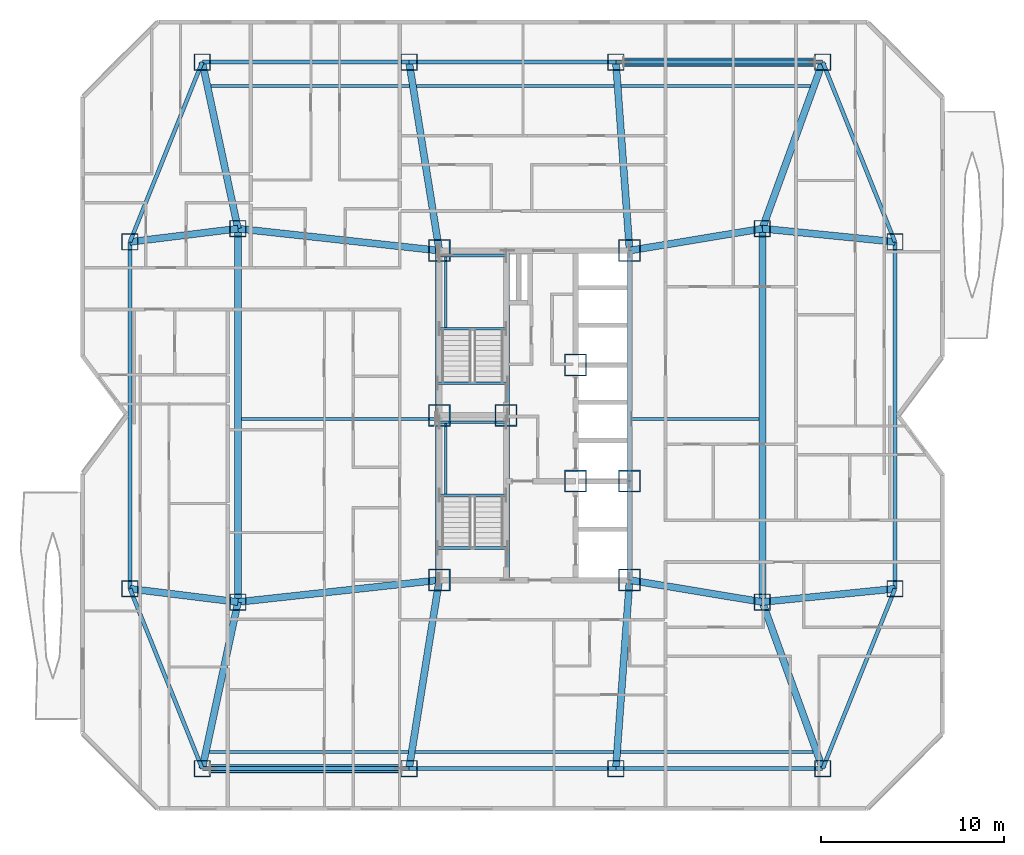
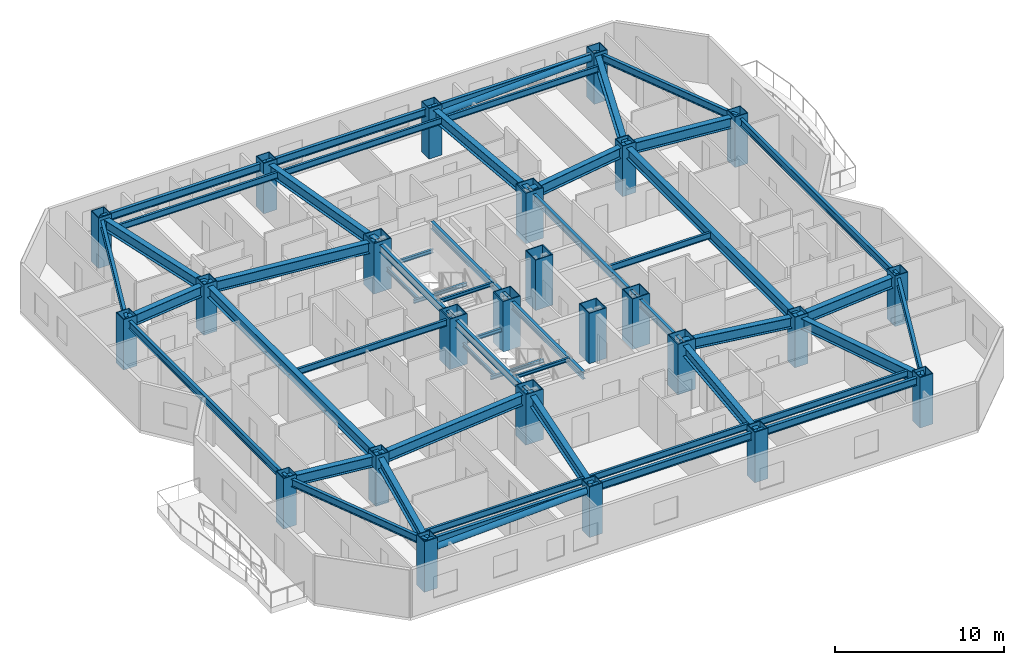
# One storey, part 1 of 16: 52 beams, 25 columns, 2 members.
"""IFC4 building model written with IfcOpenShell, lengths in metres."""

from ifc_helpers import new_model, si_unit, direction, frame, origin, origin_2d, place, context, subcontext, project, spatial, hollow_rectangle, hollow_circle, i_section, extrude, material, material_profile, profile_set, type_object, element, save


model = new_model("IFC4")

# Units and contexts
model_context = context("Model", 3, precision=1e-05, world=origin(), true_north=direction((0.0, 1.0)))
body_context = subcontext(model_context, "Body", "Model", "MODEL_VIEW")
ifc_project = project(units=[si_unit("LENGTHUNIT", "METRE"), si_unit("AREAUNIT", "SQUARE_METRE"), si_unit("VOLUMEUNIT", "CUBIC_METRE"), si_unit("PLANEANGLEUNIT", "RADIAN"), si_unit("MASSUNIT", "GRAM", prefix="KILO")], contexts=[model_context])

# Site, building, storey
site_placement = place(None, origin())
site = spatial("IfcSite", under=ifc_project, at=site_placement, CompositionType="ELEMENT")
building_placement = place(site_placement, origin())
building = spatial("IfcBuilding", under=site, at=building_placement, Name="Khamvora Tower", CompositionType="ELEMENT")
storey_placement = place(building_placement, frame((0.0, 0.0, 134.75)))
storey = spatial("IfcBuildingStorey", under=building, at=storey_placement, Name="L34", CompositionType="ELEMENT", Elevation=134.75)

# Columns
ifc_material_1 = material(Name="Steel S460", Category="steel")
ifc_material_profile_1 = material_profile(ifc_material_1, hollow_rectangle(XDim=1.199951171875, YDim=1.199951171875, WallThickness=0.06005859375, at=origin_2d()), Name="BOX1200x1200x60")
ifc_profile_set_1 = profile_set([ifc_material_profile_1], Name="Steel S460")
column_type_1 = type_object("IfcColumnType", Name="COL-BOX1200", PredefinedType="COLUMN", material=ifc_profile_set_1)
for number, where, z_axis, x_axis, name in (
    (1, (29.0, 19.0, 0.0), (0.0, 0.0, 1.0), (1.0, 0.0, 0.0), "L34 plumb core spine column SC1"),
    (2, (32.64990234375, 28.0, 0.0), (0.0, 0.0, 1.0), (1.0, 0.0, 0.0), "L34 plumb core spine column SC2"),
    (3, (39.39990234375, 19.0, 0.0), (0.0, 0.0, 1.0), (1.0, 0.0, 0.0), "L34 plumb core spine column SC3"),
    (4, (29.0, 28.0, 0.0), (0.0, 0.0, 1.0), (1.0, 0.0, 0.0), "L34 plumb core spine column SC4"),
    (5, (36.449951171875, 24.39990234375, 0.0), (0.0, 0.0, 1.0), (1.0, 0.0, 0.0), "L34 plumb core spine column SC5"),
    (6, (39.39990234375, 24.39990234375, 0.0), (0.0, 0.0, 1.0), (1.0, 0.0, 0.0), "L34 plumb core spine column SC6"),
    (7, (29.0, 37.0, 0.0), (0.0, 0.0, 1.0), (1.0, 0.0, 0.0), "L34 plumb core spine column SC7"),
    (8, (36.449951171875, 30.75, 0.0), (0.0, 0.0, 1.0), (1.0, 0.0, 0.0), "L34 plumb core spine column SC8"),
    (9, (39.39990234375, 37.0, 0.0), (0.0, 0.0, 1.0), (1.0, 0.0, 0.0), "L34 plumb core spine column SC9"),
):
    element("IfcColumn", number, at=place(storey_placement, frame(where, z_axis=z_axis, x_axis=x_axis)), inside=storey, type_object=column_type_1, Name=name, PredefinedType="COLUMN", context=body_context, shape_type="SweptSolid", body=[
        extrude(hollow_rectangle(XDim=1.199951171875, YDim=1.199951171875, WallThickness=0.06005859375, at=origin_2d()), origin(), (0.0, 0.0, 1.0), 3.64990234375),
    ])
ifc_material_2 = material(Name="Steel S355", Category="steel")
ifc_material_profile_2 = material_profile(ifc_material_2, hollow_rectangle(XDim=0.89990234375, YDim=0.89990234375, WallThickness=0.044921875, at=origin_2d()), Name="BOX900x900x45")
ifc_profile_set_2 = profile_set([ifc_material_profile_2], Name="Steel S355")
column_type_2 = type_object("IfcColumnType", Name="COL-BOX900", PredefinedType="COLUMN", material=ifc_profile_set_2)
for number, where, z_axis, x_axis, name in (
    (10, (16.050048828125, 8.699951171875, 0.0), (0.0, 0.0, 1.0), (1.0, 0.0, 0.0), "L34 structural frame column S1"),
    (11, (27.35009765625, 8.699951171875, 0.0), (0.0, 0.0, 1.0), (1.0, 0.0, 0.0), "L34 structural frame column S2"),
    (12, (38.64990234375, 8.699951171875, 0.0), (0.0, 0.0, 1.0), (1.0, 0.0, 0.0), "L34 structural frame column S3"),
    (13, (49.949951171875, 8.699951171875, 0.0), (0.0, 0.0, 1.0), (1.0, 0.0, 0.0), "L34 structural frame column S4"),
    (14, (16.050048828125, 47.300048828125, 0.0), (0.0, 0.0, 1.0), (1.0, 0.0, 0.0), "L34 structural frame column N1"),
    (15, (27.35009765625, 47.300048828125, 0.0), (0.0, 0.0, 1.0), (1.0, 0.0, 0.0), "L34 structural frame column N2"),
    (16, (38.64990234375, 47.300048828125, 0.0), (0.0, 0.0, 1.0), (1.0, 0.0, 0.0), "L34 structural frame column N3"),
    (17, (49.949951171875, 47.300048828125, 0.0), (0.0, 0.0, 1.0), (1.0, 0.0, 0.0), "L34 structural frame column N4"),
    (18, (12.10009765625, 18.52490234375, 0.0), (0.0, 0.0, 1.0), (1.0, 0.0, 0.0), "L34 structural frame column W1"),
    (19, (12.10009765625, 37.47509765625, 0.0), (0.0, 0.0, 1.0), (1.0, 0.0, 0.0), "L34 structural frame column W2"),
    (20, (53.89990234375, 18.52490234375, 0.0), (0.0, 0.0, 1.0), (1.0, 0.0, 0.0), "L34 structural frame column E1"),
    (21, (53.89990234375, 37.47509765625, 0.0), (0.0, 0.0, 1.0), (1.0, 0.0, 0.0), "L34 structural frame column E2"),
    (22, (18.0, 17.800048828125, 0.0), (0.0, 0.0, 1.0), (1.0, 0.0, 0.0), "L34 structural frame column MW1"),
    (23, (18.0, 38.199951171875, 0.0), (0.0, 0.0, 1.0), (1.0, 0.0, 0.0), "L34 structural frame column MW2"),
    (24, (46.64990234375, 17.800048828125, 0.0), (0.0, 0.0, 1.0), (1.0, 0.0, 0.0), "L34 structural frame column M1"),
    (25, (46.64990234375, 38.199951171875, 0.0), (0.0, 0.0, 1.0), (1.0, 0.0, 0.0), "L34 structural frame column M2"),
):
    element("IfcColumn", number, at=place(storey_placement, frame(where, z_axis=z_axis, x_axis=x_axis)), inside=storey, type_object=column_type_2, Name=name, PredefinedType="COLUMN", context=body_context, shape_type="SweptSolid", body=[
        extrude(hollow_rectangle(XDim=0.89990234375, YDim=0.89990234375, WallThickness=0.044921875, at=origin_2d()), origin(), (0.0, 0.0, 1.0), 3.64990234375),
    ])

# Beams
ifc_material_profile_3 = material_profile(ifc_material_2, i_section(OverallWidth=0.154052734375, OverallDepth=0.458984375, WebThickness=0.009033203125, FlangeThickness=0.014892578125, FilletRadius=0.011962890625, at=origin_2d()), Name="W460x68")
ifc_profile_set_3 = profile_set([ifc_material_profile_3], Name="Steel S355")
beam_type_1 = type_object("IfcBeamType", Name="BM-JS-W460x68", PredefinedType="JOIST", material=ifc_profile_set_3)
beam_1_placement = place(storey_placement, frame((16.43310546875, 9.60009765625, 3.200927734375), z_axis=(1.0, 0.0, 0.0), x_axis=(0.0, 1.0, 0.0)))
element("IfcBeam", 26, at=beam_1_placement, inside=storey, type_object=beam_type_1, Name="L34 secondary floor joist 01", PredefinedType="JOIST", context=body_context, shape_type="SweptSolid", body=[
    extrude(i_section(OverallWidth=0.154052734375, OverallDepth=0.458984375, WebThickness=0.009033203125, FlangeThickness=0.014892578125, FilletRadius=0.011962890625, at=origin_2d()), origin(), (0.0, 0.0, 1.0), 10.872802734375),
])
beam_2_placement = place(storey_placement, frame((27.681884765625, 9.60009765625, 3.200927734375), z_axis=(1.0, 0.0, 0.0), x_axis=(0.0, 1.0, 0.0)))
element("IfcBeam", 27, at=beam_2_placement, inside=storey, type_object=beam_type_1, Name="L34 secondary floor joist 02", PredefinedType="JOIST", context=body_context, shape_type="SweptSolid", body=[
    extrude(i_section(OverallWidth=0.154052734375, OverallDepth=0.458984375, WebThickness=0.009033203125, FlangeThickness=0.014892578125, FilletRadius=0.011962890625, at=origin_2d()), origin(), (0.0, 0.0, 1.0), 10.84814453125),
])
beam_3_placement = place(storey_placement, frame((38.902099609375, 9.60009765625, 3.200927734375), z_axis=(1.0, 0.0, 0.0), x_axis=(0.0, 1.0, 0.0)))
element("IfcBeam", 28, at=beam_3_placement, inside=storey, type_object=beam_type_1, Name="L34 secondary floor joist 03", PredefinedType="JOIST", context=body_context, shape_type="SweptSolid", body=[
    extrude(i_section(OverallWidth=0.154052734375, OverallDepth=0.458984375, WebThickness=0.009033203125, FlangeThickness=0.014892578125, FilletRadius=0.011962890625, at=origin_2d()), origin(), (0.0, 0.0, 1.0), 10.52392578125),
])
beam_4_placement = place(storey_placement, frame((18.18603515625, 27.800048828125, 3.200927734375), z_axis=(1.0, 0.0, 0.0), x_axis=(0.0, 1.0, 0.0)))
element("IfcBeam", 29, at=beam_4_placement, inside=storey, type_object=beam_type_1, Name="L34 secondary floor joist 04", PredefinedType="JOIST", context=body_context, shape_type="SweptSolid", body=[
    extrude(i_section(OverallWidth=0.154052734375, OverallDepth=0.458984375, WebThickness=0.009033203125, FlangeThickness=0.014892578125, FilletRadius=0.011962890625, at=origin_2d()), origin(), (0.0, 0.0, 1.0), 10.614013671875),
])
beam_5_placement = place(storey_placement, frame((39.4990234375, 27.800048828125, 3.200927734375), z_axis=(1.0, 0.0, 0.0), x_axis=(0.0, 1.0, 0.0)))
element("IfcBeam", 30, at=beam_5_placement, inside=storey, type_object=beam_type_1, Name="L34 secondary floor joist 05", PredefinedType="JOIST", context=body_context, shape_type="SweptSolid", body=[
    extrude(i_section(OverallWidth=0.154052734375, OverallDepth=0.458984375, WebThickness=0.009033203125, FlangeThickness=0.014892578125, FilletRadius=0.011962890625, at=origin_2d()), origin(), (0.0, 0.0, 1.0), 6.966064453125),
])
beam_6_placement = place(storey_placement, frame((16.51806640625, 46.0, 3.200927734375), z_axis=(1.0, 0.0, 0.0), x_axis=(0.0, 1.0, 0.0)))
element("IfcBeam", 31, at=beam_6_placement, inside=storey, type_object=beam_type_1, Name="L34 secondary floor joist 06", PredefinedType="JOIST", context=body_context, shape_type="SweptSolid", body=[
    extrude(i_section(OverallWidth=0.154052734375, OverallDepth=0.458984375, WebThickness=0.009033203125, FlangeThickness=0.014892578125, FilletRadius=0.011962890625, at=origin_2d()), origin(), (0.0, 0.0, 1.0), 10.85205078125),
])
beam_7_placement = place(storey_placement, frame((27.74609375, 46.0, 3.200927734375), z_axis=(1.0, 0.0, 0.0), x_axis=(0.0, 1.0, 0.0)))
element("IfcBeam", 32, at=beam_7_placement, inside=storey, type_object=beam_type_1, Name="L34 secondary floor joist 07", PredefinedType="JOIST", context=body_context, shape_type="SweptSolid", body=[
    extrude(i_section(OverallWidth=0.154052734375, OverallDepth=0.458984375, WebThickness=0.009033203125, FlangeThickness=0.014892578125, FilletRadius=0.011962890625, at=origin_2d()), origin(), (0.0, 0.0, 1.0), 10.81298828125),
])
beam_8_placement = place(storey_placement, frame((38.930908203125, 46.0, 3.200927734375), z_axis=(1.0, 0.0, 0.0), x_axis=(0.0, 1.0, 0.0)))
element("IfcBeam", 33, at=beam_8_placement, inside=storey, type_object=beam_type_1, Name="L34 secondary floor joist 08", PredefinedType="JOIST", context=body_context, shape_type="SweptSolid", body=[
    extrude(i_section(OverallWidth=0.154052734375, OverallDepth=0.458984375, WebThickness=0.009033203125, FlangeThickness=0.014892578125, FilletRadius=0.011962890625, at=origin_2d()), origin(), (0.0, 0.0, 1.0), 10.35009765625),
])
ifc_material_profile_4 = material_profile(ifc_material_2, i_section(OverallWidth=0.14697265625, OverallDepth=0.261962890625, WebThickness=0.007080078125, FlangeThickness=0.010986328125, FilletRadius=0.008056640625, at=origin_2d()), Name="W250x39")
ifc_profile_set_4 = profile_set([ifc_material_profile_4], Name="Steel S355")
beam_type_2 = type_object("IfcBeamType", Name="BM-LN-W250x39", PredefinedType="LINTEL", material=ifc_profile_set_4)
for number, where, z_axis, x_axis, name in (
    (34, (29.0, 23.635009765625, 1.493896484375), (1.0, 0.0, 0.0), (0.0, 1.0, 0.0), "L34 ST-01 half-landing support beam 1.1"),
    (35, (29.0, 27.6298828125, 1.493896484375), (1.0, 0.0, 0.0), (0.0, 1.0, 0.0), "L34 ST-01 half-landing support beam 1.2"),
):
    element("IfcBeam", number, at=place(storey_placement, frame(where, z_axis=z_axis, x_axis=x_axis)), inside=storey, type_object=beam_type_2, Name=name, PredefinedType="LINTEL", context=body_context, shape_type="SweptSolid", body=[
        extrude(i_section(OverallWidth=0.14697265625, OverallDepth=0.261962890625, WebThickness=0.007080078125, FlangeThickness=0.010986328125, FilletRadius=0.008056640625, at=origin_2d()), origin(), (0.0, 0.0, 1.0), 3.64990234375),
    ])
beam_9_placement = place(storey_placement, frame((29.35009765625, 23.635009765625, 1.493896484375), z_axis=(0.0, 1.0, 0.0), x_axis=(-1.0, 0.0, 0.0)))
element("IfcBeam", 36, at=beam_9_placement, inside=storey, type_object=beam_type_2, Name="L34 ST-01 half-landing edge stringer 1", PredefinedType="LINTEL", context=body_context, shape_type="SweptSolid", body=[
    extrude(i_section(OverallWidth=0.14697265625, OverallDepth=0.261962890625, WebThickness=0.007080078125, FlangeThickness=0.010986328125, FilletRadius=0.008056640625, at=origin_2d()), origin(), (0.0, 0.0, 1.0), 3.994873046875),
])
for number, where, z_axis, x_axis, name in (
    (37, (29.0, 32.735107421875, 1.493896484375), (1.0, 0.0, 0.0), (0.0, 1.0, 0.0), "L34 ST-02 half-landing support beam 1.1"),
    (38, (29.0, 36.72998046875, 1.493896484375), (1.0, 0.0, 0.0), (0.0, 1.0, 0.0), "L34 ST-02 half-landing support beam 1.2"),
):
    element("IfcBeam", number, at=place(storey_placement, frame(where, z_axis=z_axis, x_axis=x_axis)), inside=storey, type_object=beam_type_2, Name=name, PredefinedType="LINTEL", context=body_context, shape_type="SweptSolid", body=[
        extrude(i_section(OverallWidth=0.14697265625, OverallDepth=0.261962890625, WebThickness=0.007080078125, FlangeThickness=0.010986328125, FilletRadius=0.008056640625, at=origin_2d()), origin(), (0.0, 0.0, 1.0), 3.64990234375),
    ])
beam_10_placement = place(storey_placement, frame((29.35009765625, 32.735107421875, 1.493896484375), z_axis=(0.0, 1.0, 0.0), x_axis=(-1.0, 0.0, 0.0)))
element("IfcBeam", 39, at=beam_10_placement, inside=storey, type_object=beam_type_2, Name="L34 ST-02 half-landing edge stringer 1", PredefinedType="LINTEL", context=body_context, shape_type="SweptSolid", body=[
    extrude(i_section(OverallWidth=0.14697265625, OverallDepth=0.261962890625, WebThickness=0.007080078125, FlangeThickness=0.010986328125, FilletRadius=0.008056640625, at=origin_2d()), origin(), (0.0, 0.0, 1.0), 3.994873046875),
])
for number, where, z_axis, x_axis, name in (
    (40, (28.89990234375, 20.75, 3.303955078125), (1.0, 0.0, 0.0), (0.0, 1.0, 0.0), "L34 exit stair ST-01 landing trimmer beam"),
    (41, (28.89990234375, 29.75, 3.303955078125), (1.0, 0.0, 0.0), (0.0, 1.0, 0.0), "L34 exit stair ST-02 landing trimmer beam"),
):
    element("IfcBeam", number, at=place(storey_placement, frame(where, z_axis=z_axis, x_axis=x_axis)), inside=storey, type_object=beam_type_2, Name=name, PredefinedType="LINTEL", context=body_context, shape_type="SweptSolid", body=[
        extrude(i_section(OverallWidth=0.14697265625, OverallDepth=0.261962890625, WebThickness=0.007080078125, FlangeThickness=0.010986328125, FilletRadius=0.008056640625, at=origin_2d()), origin(), (0.0, 0.0, 1.0), 3.830078125),
    ])
ifc_material_profile_5 = material_profile(ifc_material_2, i_section(OverallWidth=0.381103515625, OverallDepth=0.77294921875, WebThickness=0.01708984375, FlangeThickness=0.027099609375, FilletRadius=0.01806640625, at=origin_2d()), Name="W760x257")
ifc_profile_set_5 = profile_set([ifc_material_profile_5], Name="Steel S355")
beam_type_3 = type_object("IfcBeamType", Name="BM-PG-W760x257", PredefinedType="BEAM", material=ifc_profile_set_5)
for number, where, z_axis, x_axis, name in (
    (42, (46.64990234375, 17.800048828125, 3.04296875), (0.0, 1.0, 0.0), (-1.0, 0.0, 0.0), "L34 longitudinal frame girder M1-M2"),
    (43, (18.0, 17.800048828125, 3.04296875), (0.0, 1.0, 0.0), (-1.0, 0.0, 0.0), "L34 longitudinal frame girder MW1-MW2"),
):
    element("IfcBeam", number, at=place(storey_placement, frame(where, z_axis=z_axis, x_axis=x_axis)), inside=storey, type_object=beam_type_3, Name=name, PredefinedType="BEAM", context=body_context, shape_type="SweptSolid", body=[
        extrude(i_section(OverallWidth=0.381103515625, OverallDepth=0.77294921875, WebThickness=0.01708984375, FlangeThickness=0.027099609375, FilletRadius=0.01806640625, at=origin_2d()), origin(), (0.0, 0.0, 1.0), 20.39990234375),
    ])
beam_11_placement = place(storey_placement, frame((18.0, 17.800048828125, 3.04296875), z_axis=(-0.209521922673, -0.977803949634, 0.0), x_axis=(0.977803949634, -0.209521922673, 0.0)))
element("IfcBeam", 44, at=beam_11_placement, inside=storey, type_object=beam_type_3, Name="L34 primary floor girder S1", PredefinedType="BEAM", context=body_context, shape_type="SweptSolid", body=[
    extrude(i_section(OverallWidth=0.381103515625, OverallDepth=0.77294921875, WebThickness=0.01708984375, FlangeThickness=0.027099609375, FilletRadius=0.01806640625, at=origin_2d()), origin(), (0.0, 0.0, 1.0), 9.306640625),
])
beam_12_placement = place(storey_placement, frame((29.0, 19.0, 3.04296875), z_axis=(-0.158167584066, -0.987412282358, 0.0), x_axis=(0.987412282358, -0.158167584066, 0.0)))
element("IfcBeam", 45, at=beam_12_placement, inside=storey, type_object=beam_type_3, Name="L34 primary floor girder S2", PredefinedType="BEAM", context=body_context, shape_type="SweptSolid", body=[
    extrude(i_section(OverallWidth=0.381103515625, OverallDepth=0.77294921875, WebThickness=0.01708984375, FlangeThickness=0.027099609375, FilletRadius=0.01806640625, at=origin_2d()), origin(), (0.0, 0.0, 1.0), 10.431396484375),
])
beam_13_placement = place(storey_placement, frame((39.39990234375, 19.0, 3.04296875), z_axis=(-0.07262291808, -0.997359469685, 0.0), x_axis=(0.997359469685, -0.07262291808, 0.0)))
element("IfcBeam", 46, at=beam_13_placement, inside=storey, type_object=beam_type_3, Name="L34 primary floor girder S3", PredefinedType="BEAM", context=body_context, shape_type="SweptSolid", body=[
    extrude(i_section(OverallWidth=0.381103515625, OverallDepth=0.77294921875, WebThickness=0.01708984375, FlangeThickness=0.027099609375, FilletRadius=0.01806640625, at=origin_2d()), origin(), (0.0, 0.0, 1.0), 10.327392578125),
])
beam_14_placement = place(storey_placement, frame((46.64990234375, 17.800048828125, 3.04296875), z_axis=(0.340914681567, -0.940094239899, 0.0), x_axis=(0.940094239899, 0.340914681567, 0.0)))
element("IfcBeam", 47, at=beam_14_placement, inside=storey, type_object=beam_type_3, Name="L34 primary floor girder S4", PredefinedType="BEAM", context=body_context, shape_type="SweptSolid", body=[
    extrude(i_section(OverallWidth=0.381103515625, OverallDepth=0.77294921875, WebThickness=0.01708984375, FlangeThickness=0.027099609375, FilletRadius=0.01806640625, at=origin_2d()), origin(), (0.0, 0.0, 1.0), 9.679931640625),
])
beam_15_placement = place(storey_placement, frame((18.0, 38.199951171875, 3.04296875), z_axis=(-0.209521922673, 0.977803949634, 0.0), x_axis=(-0.977803949634, -0.209521922673, 0.0)))
element("IfcBeam", 48, at=beam_15_placement, inside=storey, type_object=beam_type_3, Name="L34 primary floor girder N1", PredefinedType="BEAM", context=body_context, shape_type="SweptSolid", body=[
    extrude(i_section(OverallWidth=0.381103515625, OverallDepth=0.77294921875, WebThickness=0.01708984375, FlangeThickness=0.027099609375, FilletRadius=0.01806640625, at=origin_2d()), origin(), (0.0, 0.0, 1.0), 9.306640625),
])
beam_16_placement = place(storey_placement, frame((29.0, 37.0, 3.04296875), z_axis=(-0.158167584066, 0.987412282358, 0.0), x_axis=(-0.987412282358, -0.158167584066, 0.0)))
element("IfcBeam", 49, at=beam_16_placement, inside=storey, type_object=beam_type_3, Name="L34 primary floor girder N2", PredefinedType="BEAM", context=body_context, shape_type="SweptSolid", body=[
    extrude(i_section(OverallWidth=0.381103515625, OverallDepth=0.77294921875, WebThickness=0.01708984375, FlangeThickness=0.027099609375, FilletRadius=0.01806640625, at=origin_2d()), origin(), (0.0, 0.0, 1.0), 10.431396484375),
])
beam_17_placement = place(storey_placement, frame((39.39990234375, 37.0, 3.04296875), z_axis=(-0.07262291808, 0.997359469685, 0.0), x_axis=(-0.997359469685, -0.07262291808, 0.0)))
element("IfcBeam", 50, at=beam_17_placement, inside=storey, type_object=beam_type_3, Name="L34 primary floor girder N3", PredefinedType="BEAM", context=body_context, shape_type="SweptSolid", body=[
    extrude(i_section(OverallWidth=0.381103515625, OverallDepth=0.77294921875, WebThickness=0.01708984375, FlangeThickness=0.027099609375, FilletRadius=0.01806640625, at=origin_2d()), origin(), (0.0, 0.0, 1.0), 10.327392578125),
])
beam_18_placement = place(storey_placement, frame((46.64990234375, 38.199951171875, 3.04296875), z_axis=(0.340914681567, 0.940094239899, 0.0), x_axis=(-0.940094239899, 0.340914681567, 0.0)))
element("IfcBeam", 51, at=beam_18_placement, inside=storey, type_object=beam_type_3, Name="L34 primary floor girder N4", PredefinedType="BEAM", context=body_context, shape_type="SweptSolid", body=[
    extrude(i_section(OverallWidth=0.381103515625, OverallDepth=0.77294921875, WebThickness=0.01708984375, FlangeThickness=0.027099609375, FilletRadius=0.01806640625, at=origin_2d()), origin(), (0.0, 0.0, 1.0), 9.679931640625),
])
for number, where, z_axis, x_axis, name in (
    (52, (18.0, 17.800048828125, 3.04296875), (-0.992537264608, 0.12194170068, 0.0), (-0.12194170068, -0.992537264608, 0.0), "L34 primary floor girder W1"),
    (53, (18.0, 38.199951171875, 3.04296875), (-0.992537264608, -0.12194170068, 0.0), (0.12194170068, -0.992537264608, 0.0), "L34 primary floor girder W2"),
):
    element("IfcBeam", number, at=place(storey_placement, frame(where, z_axis=z_axis, x_axis=x_axis)), inside=storey, type_object=beam_type_3, Name=name, PredefinedType="BEAM", context=body_context, shape_type="SweptSolid", body=[
        extrude(i_section(OverallWidth=0.381103515625, OverallDepth=0.77294921875, WebThickness=0.01708984375, FlangeThickness=0.027099609375, FilletRadius=0.01806640625, at=origin_2d()), origin(), (0.0, 0.0, 1.0), 5.9443359375),
    ])
for number, where, z_axis, x_axis, name in (
    (54, (46.64990234375, 17.800048828125, 3.04296875), (0.995039180556, 0.099483813546, 0.0), (-0.099483813546, 0.995039180556, 0.0), "L34 primary floor girder E1"),
    (55, (46.64990234375, 38.199951171875, 3.04296875), (0.995039180556, -0.099483813546, 0.0), (0.099483813546, 0.995039180556, 0.0), "L34 primary floor girder E2"),
):
    element("IfcBeam", number, at=place(storey_placement, frame(where, z_axis=z_axis, x_axis=x_axis)), inside=storey, type_object=beam_type_3, Name=name, PredefinedType="BEAM", context=body_context, shape_type="SweptSolid", body=[
        extrude(i_section(OverallWidth=0.381103515625, OverallDepth=0.77294921875, WebThickness=0.01708984375, FlangeThickness=0.027099609375, FilletRadius=0.01806640625, at=origin_2d()), origin(), (0.0, 0.0, 1.0), 7.2861328125),
    ])
for number, where, z_axis, x_axis, name in (
    (56, (29.0, 19.0, 3.04296875), (-0.994102652327, -0.108443149329, 0.0), (0.108443149329, -0.994102652327, 0.0), "L34 primary floor girder MW1"),
    (57, (29.0, 37.0, 3.04296875), (-0.994102652327, 0.108443149329, 0.0), (-0.108443149329, -0.994102652327, 0.0), "L34 primary floor girder MW2"),
):
    element("IfcBeam", number, at=place(storey_placement, frame(where, z_axis=z_axis, x_axis=x_axis)), inside=storey, type_object=beam_type_3, Name=name, PredefinedType="BEAM", context=body_context, shape_type="SweptSolid", body=[
        extrude(i_section(OverallWidth=0.381103515625, OverallDepth=0.77294921875, WebThickness=0.01708984375, FlangeThickness=0.027099609375, FilletRadius=0.01806640625, at=origin_2d()), origin(), (0.0, 0.0, 1.0), 11.065185546875),
    ])
for number, where, z_axis, x_axis, name in (
    (58, (39.39990234375, 19.0, 3.04296875), (0.986578268552, -0.163289068896, 0.0), (0.163289068896, 0.986578268552, 0.0), "L34 primary floor girder M1"),
    (59, (39.39990234375, 37.0, 3.04296875), (0.986578268552, 0.163289068896, 0.0), (-0.163289068896, 0.986578268552, 0.0), "L34 primary floor girder M2"),
):
    element("IfcBeam", number, at=place(storey_placement, frame(where, z_axis=z_axis, x_axis=x_axis)), inside=storey, type_object=beam_type_3, Name=name, PredefinedType="BEAM", context=body_context, shape_type="SweptSolid", body=[
        extrude(i_section(OverallWidth=0.381103515625, OverallDepth=0.77294921875, WebThickness=0.01708984375, FlangeThickness=0.027099609375, FilletRadius=0.01806640625, at=origin_2d()), origin(), (0.0, 0.0, 1.0), 7.3486328125),
    ])
ifc_material_profile_6 = material_profile(ifc_material_2, i_section(OverallWidth=0.2119140625, OverallDepth=0.5439453125, WebThickness=0.012939453125, FlangeThickness=0.02099609375, FilletRadius=0.013916015625, at=origin_2d()), Name="W530x123")
ifc_profile_set_6 = profile_set([ifc_material_profile_6], Name="Steel S355")
beam_type_4 = type_object("IfcBeamType", Name="BM-SP-W530x123", PredefinedType="SPANDREL", material=ifc_profile_set_6)
beam_19_placement = place(storey_placement, frame((12.10009765625, 18.52490234375, 3.157958984375), z_axis=(0.373015921536, -0.927824941614, 0.0), x_axis=(0.927824941614, 0.373015921536, 0.0)))
element("IfcBeam", 60, at=beam_19_placement, inside=storey, type_object=beam_type_4, Name="L34 perimeter spandrel beam W1-S1", PredefinedType="SPANDREL", context=body_context, shape_type="SweptSolid", body=[
    extrude(i_section(OverallWidth=0.2119140625, OverallDepth=0.5439453125, WebThickness=0.012939453125, FlangeThickness=0.02099609375, FilletRadius=0.013916015625, at=origin_2d()), origin(), (0.0, 0.0, 1.0), 10.589111328125),
])
beam_20_placement = place(storey_placement, frame((16.050048828125, 8.699951171875, 3.157958984375), z_axis=(1.0, 0.0, 0.0), x_axis=(0.0, 1.0, 0.0)))
element("IfcBeam", 61, at=beam_20_placement, inside=storey, type_object=beam_type_4, Name="L34 perimeter spandrel beam S1-S2", PredefinedType="SPANDREL", context=body_context, shape_type="SweptSolid", body=[
    extrude(i_section(OverallWidth=0.2119140625, OverallDepth=0.5439453125, WebThickness=0.012939453125, FlangeThickness=0.02099609375, FilletRadius=0.013916015625, at=origin_2d()), origin(), (0.0, 0.0, 1.0), 11.300048828125),
])
beam_21_placement = place(storey_placement, frame((27.35009765625, 8.699951171875, 3.157958984375), z_axis=(1.0, 0.0, 0.0), x_axis=(0.0, 1.0, 0.0)))
element("IfcBeam", 62, at=beam_21_placement, inside=storey, type_object=beam_type_4, Name="L34 perimeter spandrel beam S2-S3", PredefinedType="SPANDREL", context=body_context, shape_type="SweptSolid", body=[
    extrude(i_section(OverallWidth=0.2119140625, OverallDepth=0.5439453125, WebThickness=0.012939453125, FlangeThickness=0.02099609375, FilletRadius=0.013916015625, at=origin_2d()), origin(), (0.0, 0.0, 1.0), 11.2998046875),
])
beam_22_placement = place(storey_placement, frame((38.64990234375, 8.699951171875, 3.157958984375), z_axis=(1.0, 0.0, 0.0), x_axis=(0.0, 1.0, 0.0)))
element("IfcBeam", 63, at=beam_22_placement, inside=storey, type_object=beam_type_4, Name="L34 perimeter spandrel beam S3-S4", PredefinedType="SPANDREL", context=body_context, shape_type="SweptSolid", body=[
    extrude(i_section(OverallWidth=0.2119140625, OverallDepth=0.5439453125, WebThickness=0.012939453125, FlangeThickness=0.02099609375, FilletRadius=0.013916015625, at=origin_2d()), origin(), (0.0, 0.0, 1.0), 11.300048828125),
])
beam_23_placement = place(storey_placement, frame((49.949951171875, 8.699951171875, 3.157958984375), z_axis=(0.373015921536, 0.927824941614, 0.0), x_axis=(-0.927824941614, 0.373015921536, 0.0)))
element("IfcBeam", 64, at=beam_23_placement, inside=storey, type_object=beam_type_4, Name="L34 perimeter spandrel beam S4-E1", PredefinedType="SPANDREL", context=body_context, shape_type="SweptSolid", body=[
    extrude(i_section(OverallWidth=0.2119140625, OverallDepth=0.5439453125, WebThickness=0.012939453125, FlangeThickness=0.02099609375, FilletRadius=0.013916015625, at=origin_2d()), origin(), (0.0, 0.0, 1.0), 10.589111328125),
])
beam_24_placement = place(storey_placement, frame((53.89990234375, 18.52490234375, 3.157958984375), z_axis=(0.0, 1.0, 0.0), x_axis=(-1.0, 0.0, 0.0)))
element("IfcBeam", 65, at=beam_24_placement, inside=storey, type_object=beam_type_4, Name="L34 perimeter spandrel beam E1-E2", PredefinedType="SPANDREL", context=body_context, shape_type="SweptSolid", body=[
    extrude(i_section(OverallWidth=0.2119140625, OverallDepth=0.5439453125, WebThickness=0.012939453125, FlangeThickness=0.02099609375, FilletRadius=0.013916015625, at=origin_2d()), origin(), (0.0, 0.0, 1.0), 18.9501953125),
])
beam_25_placement = place(storey_placement, frame((53.89990234375, 37.47509765625, 3.157958984375), z_axis=(-0.373015921536, 0.927824941614, 0.0), x_axis=(-0.927824941614, -0.373015921536, 0.0)))
element("IfcBeam", 66, at=beam_25_placement, inside=storey, type_object=beam_type_4, Name="L34 perimeter spandrel beam E2-N4", PredefinedType="SPANDREL", context=body_context, shape_type="SweptSolid", body=[
    extrude(i_section(OverallWidth=0.2119140625, OverallDepth=0.5439453125, WebThickness=0.012939453125, FlangeThickness=0.02099609375, FilletRadius=0.013916015625, at=origin_2d()), origin(), (0.0, 0.0, 1.0), 10.589111328125),
])
beam_26_placement = place(storey_placement, frame((49.949951171875, 47.300048828125, 3.157958984375), z_axis=(-1.0, 0.0, 0.0), x_axis=(0.0, -1.0, 0.0)))
element("IfcBeam", 67, at=beam_26_placement, inside=storey, type_object=beam_type_4, Name="L34 perimeter spandrel beam N4-N3", PredefinedType="SPANDREL", context=body_context, shape_type="SweptSolid", body=[
    extrude(i_section(OverallWidth=0.2119140625, OverallDepth=0.5439453125, WebThickness=0.012939453125, FlangeThickness=0.02099609375, FilletRadius=0.013916015625, at=origin_2d()), origin(), (0.0, 0.0, 1.0), 11.300048828125),
])
beam_27_placement = place(storey_placement, frame((38.64990234375, 47.300048828125, 3.157958984375), z_axis=(-1.0, 0.0, 0.0), x_axis=(0.0, -1.0, 0.0)))
element("IfcBeam", 68, at=beam_27_placement, inside=storey, type_object=beam_type_4, Name="L34 perimeter spandrel beam N3-N2", PredefinedType="SPANDREL", context=body_context, shape_type="SweptSolid", body=[
    extrude(i_section(OverallWidth=0.2119140625, OverallDepth=0.5439453125, WebThickness=0.012939453125, FlangeThickness=0.02099609375, FilletRadius=0.013916015625, at=origin_2d()), origin(), (0.0, 0.0, 1.0), 11.2998046875),
])
beam_28_placement = place(storey_placement, frame((27.35009765625, 47.300048828125, 3.157958984375), z_axis=(-1.0, 0.0, 0.0), x_axis=(0.0, -1.0, 0.0)))
element("IfcBeam", 69, at=beam_28_placement, inside=storey, type_object=beam_type_4, Name="L34 perimeter spandrel beam N2-N1", PredefinedType="SPANDREL", context=body_context, shape_type="SweptSolid", body=[
    extrude(i_section(OverallWidth=0.2119140625, OverallDepth=0.5439453125, WebThickness=0.012939453125, FlangeThickness=0.02099609375, FilletRadius=0.013916015625, at=origin_2d()), origin(), (0.0, 0.0, 1.0), 11.300048828125),
])
beam_29_placement = place(storey_placement, frame((16.050048828125, 47.300048828125, 3.157958984375), z_axis=(-0.373015921536, -0.927824941614, 0.0), x_axis=(0.927824941614, -0.373015921536, 0.0)))
element("IfcBeam", 70, at=beam_29_placement, inside=storey, type_object=beam_type_4, Name="L34 perimeter spandrel beam N1-W2", PredefinedType="SPANDREL", context=body_context, shape_type="SweptSolid", body=[
    extrude(i_section(OverallWidth=0.2119140625, OverallDepth=0.5439453125, WebThickness=0.012939453125, FlangeThickness=0.02099609375, FilletRadius=0.013916015625, at=origin_2d()), origin(), (0.0, 0.0, 1.0), 10.589111328125),
])
beam_30_placement = place(storey_placement, frame((12.10009765625, 37.47509765625, 3.157958984375), z_axis=(0.0, -1.0, 0.0), x_axis=(1.0, 0.0, 0.0)))
element("IfcBeam", 71, at=beam_30_placement, inside=storey, type_object=beam_type_4, Name="L34 perimeter spandrel beam W2-W1", PredefinedType="SPANDREL", context=body_context, shape_type="SweptSolid", body=[
    extrude(i_section(OverallWidth=0.2119140625, OverallDepth=0.5439453125, WebThickness=0.012939453125, FlangeThickness=0.02099609375, FilletRadius=0.013916015625, at=origin_2d()), origin(), (0.0, 0.0, 1.0), 18.9501953125),
])
ifc_material_profile_7 = material_profile(ifc_material_2, i_section(OverallWidth=0.208984375, OverallDepth=0.532958984375, WebThickness=0.010009765625, FlangeThickness=0.01611328125, FilletRadius=0.013916015625, at=origin_2d()), Name="W530x92")
ifc_profile_set_7 = profile_set([ifc_material_profile_7], Name="Steel S355")
beam_type_5 = type_object("IfcBeamType", Name="BM-SP-W530x92", PredefinedType="SPANDREL", material=ifc_profile_set_7)
for number, where, z_axis, x_axis, name in (
    (72, (28.89990234375, 19.0, 3.1630859375), (0.0, 1.0, 0.0), (-1.0, 0.0, 0.0), "L34 core spine girder WS"),
    (73, (28.89990234375, 28.0, 3.1630859375), (0.0, 1.0, 0.0), (-1.0, 0.0, 0.0), "L34 core spine girder WN"),
    (74, (32.72998046875, 19.0, 3.1630859375), (0.0, 1.0, 0.0), (-1.0, 0.0, 0.0), "L34 core spine girder M1S"),
    (75, (32.72998046875, 28.0, 3.1630859375), (0.0, 1.0, 0.0), (-1.0, 0.0, 0.0), "L34 core spine girder M1N"),
):
    element("IfcBeam", number, at=place(storey_placement, frame(where, z_axis=z_axis, x_axis=x_axis)), inside=storey, type_object=beam_type_5, Name=name, PredefinedType="SPANDREL", context=body_context, shape_type="SweptSolid", body=[
        extrude(i_section(OverallWidth=0.208984375, OverallDepth=0.532958984375, WebThickness=0.010009765625, FlangeThickness=0.01611328125, FilletRadius=0.013916015625, at=origin_2d()), origin(), (0.0, 0.0, 1.0), 9.0),
    ])
beam_31_placement = place(storey_placement, frame((39.39990234375, 19.0, 3.1630859375), z_axis=(0.0, 1.0, 0.0), x_axis=(-1.0, 0.0, 0.0)))
element("IfcBeam", 76, at=beam_31_placement, inside=storey, type_object=beam_type_5, Name="L34 core spine girder ES", PredefinedType="SPANDREL", context=body_context, shape_type="SweptSolid", body=[
    extrude(i_section(OverallWidth=0.208984375, OverallDepth=0.532958984375, WebThickness=0.010009765625, FlangeThickness=0.01611328125, FilletRadius=0.013916015625, at=origin_2d()), origin(), (0.0, 0.0, 1.0), 5.39990234375),
])
beam_32_placement = place(storey_placement, frame((39.39990234375, 24.39990234375, 3.1630859375), z_axis=(0.0, 1.0, 0.0), x_axis=(-1.0, 0.0, 0.0)))
element("IfcBeam", 77, at=beam_32_placement, inside=storey, type_object=beam_type_5, Name="L34 core spine girder EN", PredefinedType="SPANDREL", context=body_context, shape_type="SweptSolid", body=[
    extrude(i_section(OverallWidth=0.208984375, OverallDepth=0.532958984375, WebThickness=0.010009765625, FlangeThickness=0.01611328125, FilletRadius=0.013916015625, at=origin_2d()), origin(), (0.0, 0.0, 1.0), 12.60009765625),
])

# Members
ifc_material_profile_8 = material_profile(ifc_material_2, hollow_circle(Radius=0.228515625, WallThickness=0.02001953125, at=origin_2d()), Name="CHS457x20")
ifc_profile_set_8 = profile_set([ifc_material_profile_8], Name="Steel S355")
member_type = type_object("IfcMemberType", Name="MEM-BR-CHS457", PredefinedType="BRACE", material=ifc_profile_set_8)
for number, where, z_axis, x_axis, name in (
    (78, (16.47998046875, 8.699951171875, 2.697998046875), (0.999088541284, 0.0, 0.042685907229), (0.0, 1.0, 0.0), "L34 perimeter wind brace 1"),
    (79, (39.080078125, 47.300048828125, 2.697998046875), (0.999088541284, 0.0, 0.042685907229), (0.0, 1.0, 0.0), "L34 perimeter wind brace 2"),
):
    element("IfcMember", number, at=place(storey_placement, frame(where, z_axis=z_axis, x_axis=x_axis)), inside=storey, type_object=member_type, Name=name, PredefinedType="BRACE", context=body_context, shape_type="SweptSolid", body=[
        extrude(hollow_circle(Radius=0.228515625, WallThickness=0.02001953125, at=origin_2d()), origin(), (0.0, 0.0, 1.0), 10.449462890625),
    ])

save(model, "model.ifc")
